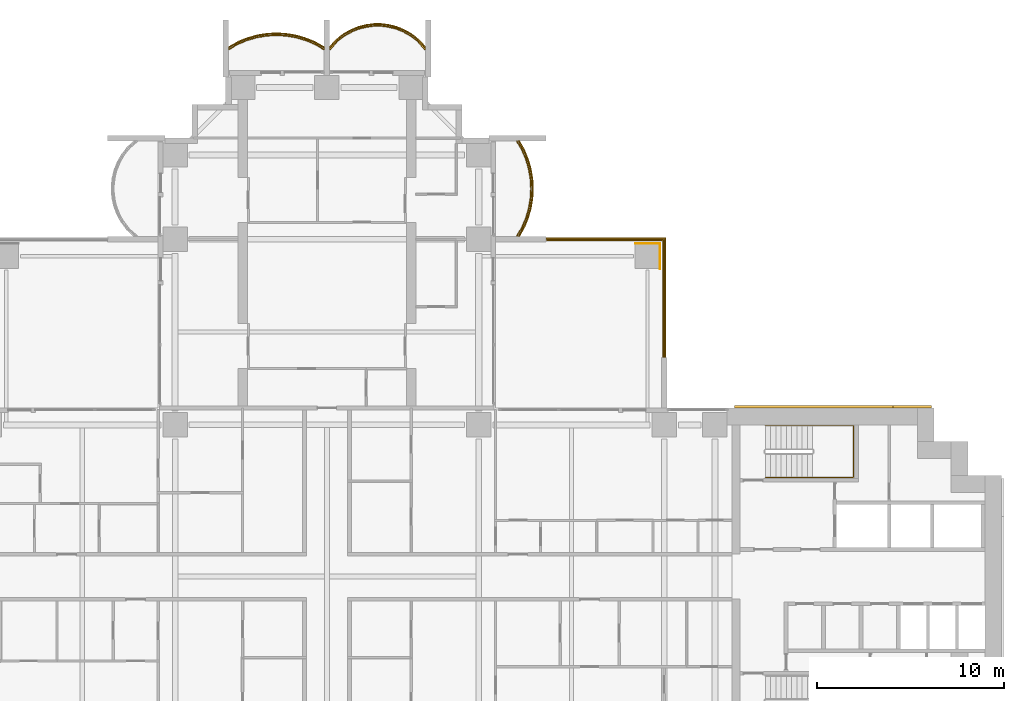
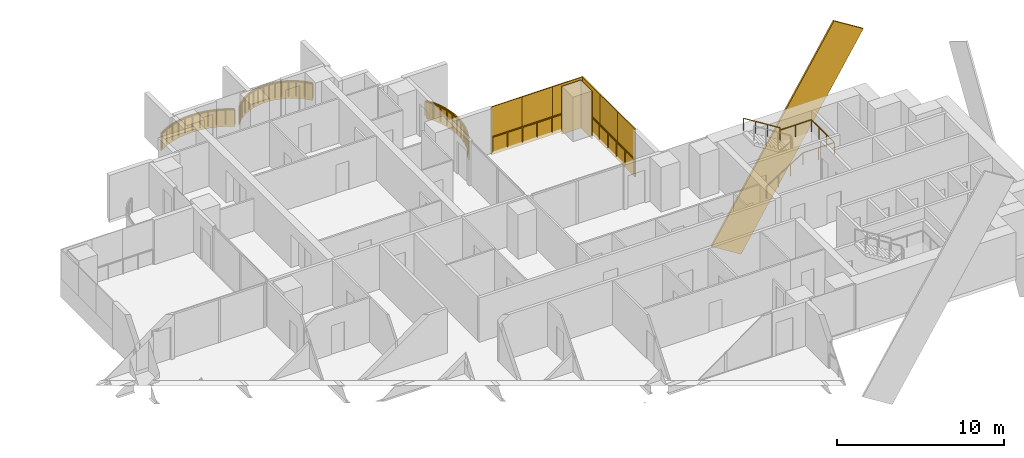
# One storey, part 22 of 23: 13 coverings, 5 railings.
"""IFC4 building model written with IfcOpenShell, lengths in metres."""

from ifc_helpers import new_model, si_unit, direction, frame, origin, origin_2d, place, context, subcontext, project, spatial, polyline, rectangle, outline, extrude, material, layer, layer_set, material_profile, profile_set, type_object, element, save


model = new_model("IFC4")

# Units and contexts
model_context = context("Model", 3, precision=1e-05, world=origin(), true_north=direction((0.0, 1.0)))
body_context = subcontext(model_context, "Body", "Model", "MODEL_VIEW")
ifc_project = project(units=[si_unit("LENGTHUNIT", "METRE"), si_unit("AREAUNIT", "SQUARE_METRE"), si_unit("VOLUMEUNIT", "CUBIC_METRE"), si_unit("PLANEANGLEUNIT", "RADIAN"), si_unit("MASSUNIT", "GRAM", prefix="KILO")], contexts=[model_context])

# Site, building, storey
site_placement = place(None, origin())
site = spatial("IfcSite", under=ifc_project, at=site_placement, CompositionType="ELEMENT")
building_placement = place(site_placement, origin())
building = spatial("IfcBuilding", under=site, at=building_placement, Name="Perihelion Cross Residences", CompositionType="ELEMENT")
storey_placement = place(building_placement, frame((0.0, 0.0, 36.5)))
storey = spatial("IfcBuildingStorey", under=building, at=storey_placement, Name="L05", CompositionType="ELEMENT", Elevation=36.5)

# Coverings
ifc_material_1 = material(Name="Bronze anodised aluminium", Category="aluminium")
ifc_layer_1 = layer(ifc_material_1, 0.070068359375)
ifc_layer_set_1 = layer_set([ifc_layer_1], Name="Balcony fascia 1300")
covering_type_1 = type_object("IfcCoveringType", Name="Balcony fascia 1300", PredefinedType="CLADDING", material=ifc_layer_set_1)
covering_1_placement = place(storey_placement, frame((0.0, 0.0, -0.199951171875)))
element("IfcCovering", 1, at=covering_1_placement, inside=storey, type_object=covering_type_1, Name="Fascia BF1 L05 north side east bay 2", PredefinedType="CLADDING", context=body_context, shape_type="SweptSolid", body=[
    extrude(outline(polyline([(10.54833984375, 18.629638671875), (10.7607421875, 19.147216796875), (10.906494140625, 19.664794921875), (10.991943359375, 20.182373046875), (11.02001953125, 20.699951171875), (10.991943359375, 21.217529296875), (10.906494140625, 21.735107421875), (10.7607421875, 22.2529296875), (10.54833984375, 22.7705078125), (10.2802734375, 23.25), (10.199951171875, 23.25), (10.4853515625, 22.739990234375), (10.694580078125, 22.22998046875), (10.838134765625, 21.719970703125), (10.92236328125, 21.2099609375), (10.949951171875, 20.699951171875), (10.92236328125, 20.18994140625), (10.838134765625, 19.679931640625), (10.694580078125, 19.169921875), (10.4853515625, 18.659912109375), (10.199951171875, 18.14990234375), (10.2802734375, 18.14990234375), (10.54833984375, 18.629638671875)])), origin(), (0.0, 0.0, 1.0), 1.300048828125),
])
covering_2_placement = place(storey_placement, frame((0.0, 0.0, -0.199951171875)))
element("IfcCovering", 2, at=covering_2_placement, inside=storey, type_object=covering_type_1, Name="Fascia BF1 L05 north tip north bay 1", PredefinedType="CLADDING", context=body_context, shape_type="SweptSolid", body=[
    extrude(outline(polyline([(4.90478515625, 28.674072265625), (4.50390625, 28.982666015625), (4.10302734375, 29.20654296875), (3.7021484375, 29.364013671875), (3.30126953125, 29.464599609375), (2.900390625, 29.513916015625), (2.49951171875, 29.513916015625), (2.0986328125, 29.464599609375), (1.69775390625, 29.364013671875), (1.296875, 29.20654296875), (0.89599609375, 28.982666015625), (0.4951171875, 28.674072265625), (0.14990234375, 28.302734375), (0.14990234375, 28.199951171875), (0.542236328125, 28.622314453125), (0.9345703125, 28.924072265625), (1.326904296875, 29.143310546875), (1.71923828125, 29.29736328125), (2.111572265625, 29.39599609375), (2.50390625, 29.444091796875), (2.896240234375, 29.444091796875), (3.28857421875, 29.39599609375), (3.6806640625, 29.29736328125), (4.072998046875, 29.143310546875), (4.46533203125, 28.924072265625), (4.857666015625, 28.622314453125), (5.25, 28.199951171875), (5.25, 28.302734375), (4.90478515625, 28.674072265625)])), origin(), (0.0, 0.0, 1.0), 1.300048828125),
])
covering_3_placement = place(storey_placement, frame((0.0, 0.0, -0.199951171875)))
element("IfcCovering", 3, at=covering_3_placement, inside=storey, type_object=covering_type_1, Name="Fascia BF1 L05 north tip north bay 2", PredefinedType="CLADDING", context=body_context, shape_type="SweptSolid", body=[
    extrude(outline(polyline([(-0.629638671875, 28.54833984375), (-1.147216796875, 28.7607421875), (-1.664794921875, 28.906494140625), (-2.182373046875, 28.991943359375), (-2.699951171875, 29.02001953125), (-3.217529296875, 28.991943359375), (-3.735107421875, 28.906494140625), (-4.2529296875, 28.7607421875), (-4.7705078125, 28.54833984375), (-5.25, 28.2802734375), (-5.25, 28.199951171875), (-4.739990234375, 28.4853515625), (-4.22998046875, 28.694580078125), (-3.719970703125, 28.838134765625), (-3.2099609375, 28.92236328125), (-2.699951171875, 28.949951171875), (-2.18994140625, 28.92236328125), (-1.679931640625, 28.838134765625), (-1.169921875, 28.694580078125), (-0.659912109375, 28.4853515625), (-0.14990234375, 28.199951171875), (-0.14990234375, 28.2802734375), (-0.629638671875, 28.54833984375)])), origin(), (0.0, 0.0, 1.0), 1.300048828125),
])

# Railings
ifc_material_2 = material(Name="Bronze anodised aluminium", Category="aluminium")
railing_type_1 = type_object("IfcRailingType", Name="Balcony guard 1100", PredefinedType="GUARDRAIL", material=ifc_material_2)
railing_1_placement = place(storey_placement, frame((10.139892578125, 18.175048828125, 0.0)))
element("IfcRailing", 4, at=railing_1_placement, inside=storey, type_object=railing_type_1, Name="Guard GU1 L05 north side east bay 2 balcony", PredefinedType="GUARDRAIL", context=body_context, shape_type="SweptSolid", body=[
    extrude(rectangle(XDim=0.048095703125, YDim=0.048095703125, at=origin_2d()), frame((0.0, 0.0, 1.076171875), z_axis=(0.507266632806, 0.861789164031, 0.0), x_axis=(-0.861789164031, 0.507266632806, 0.0)), (0.0, 0.0, 1.0), 0.562744140625),
    extrude(rectangle(XDim=0.048095703125, YDim=0.048095703125, at=origin_2d()), frame((0.285400390625, 0.48486328125, 1.076171875), z_axis=(0.379546636342, 0.925172605972, 0.0), x_axis=(-0.925172605972, 0.379546636342, 0.0)), (0.0, 0.0, 1.0), 0.55126953125),
    extrude(rectangle(XDim=0.048095703125, YDim=0.048095703125, at=origin_2d()), frame((0.49462890625, 0.994873046875, 1.076171875), z_axis=(0.271372618732, 0.962474364231, 0.0), x_axis=(-0.962474364231, 0.271372618732, 0.0)), (0.0, 0.0, 1.0), 0.52978515625),
    extrude(rectangle(XDim=0.048095703125, YDim=0.048095703125, at=origin_2d()), frame((0.638427734375, 1.5048828125, 1.076171875), z_axis=(0.162483799314, 0.986711211531, 0.0), x_axis=(-0.986711211531, 0.162483799314, 0.0)), (0.0, 0.0, 1.0), 0.516845703125),
    extrude(rectangle(XDim=0.048095703125, YDim=0.048095703125, at=origin_2d()), frame((0.722412109375, 2.014892578125, 1.076171875), z_axis=(0.05401390175, 0.998540183677, 0.0), x_axis=(-0.998540183677, 0.05401390175, 0.0)), (0.0, 0.0, 1.0), 0.5107421875),
    extrude(rectangle(XDim=0.048095703125, YDim=0.048095703125, at=origin_2d()), frame((0.75, 2.52490234375, 1.076171875), z_axis=(-0.05401390175, 0.998540183677, 0.0), x_axis=(-0.998540183677, -0.05401390175, 0.0)), (0.0, 0.0, 1.0), 0.5107421875),
    extrude(rectangle(XDim=0.048095703125, YDim=0.048095703125, at=origin_2d()), frame((0.722412109375, 3.034912109375, 1.076171875), z_axis=(-0.162483799314, 0.986711211531, 0.0), x_axis=(-0.986711211531, -0.162483799314, 0.0)), (0.0, 0.0, 1.0), 0.516845703125),
    extrude(rectangle(XDim=0.048095703125, YDim=0.048095703125, at=origin_2d()), frame((0.638427734375, 3.544921875, 1.076171875), z_axis=(-0.271372618732, 0.962474364231, 0.0), x_axis=(-0.962474364231, -0.271372618732, 0.0)), (0.0, 0.0, 1.0), 0.52978515625),
    extrude(rectangle(XDim=0.048095703125, YDim=0.048095703125, at=origin_2d()), frame((0.49462890625, 4.054931640625, 1.076171875), z_axis=(-0.379546636342, 0.925172605972, 0.0), x_axis=(-0.925172605972, -0.379546636342, 0.0)), (0.0, 0.0, 1.0), 0.55126953125),
    extrude(rectangle(XDim=0.048095703125, YDim=0.048095703125, at=origin_2d()), frame((0.285400390625, 4.56494140625, 1.076171875), z_axis=(-0.507076995033, 0.861900760591, 0.0), x_axis=(-0.861900760591, -0.507076995033, 0.0)), (0.0, 0.0, 1.0), 0.562744140625),
    extrude(rectangle(XDim=0.0419921875, YDim=0.0419921875, at=origin_2d()), origin(), (0.0, 0.0, 1.0), 1.052001953125),
    extrude(rectangle(XDim=0.0419921875, YDim=0.0419921875, at=origin_2d()), frame((0.285400390625, 0.48486328125, 0.0)), (0.0, 0.0, 1.0), 1.052001953125),
    extrude(rectangle(XDim=0.0419921875, YDim=0.0419921875, at=origin_2d()), frame((0.49462890625, 0.994873046875, 0.0)), (0.0, 0.0, 1.0), 1.052001953125),
    extrude(rectangle(XDim=0.0419921875, YDim=0.0419921875, at=origin_2d()), frame((0.638427734375, 1.5048828125, 0.0)), (0.0, 0.0, 1.0), 1.052001953125),
    extrude(rectangle(XDim=0.0419921875, YDim=0.0419921875, at=origin_2d()), frame((0.722412109375, 2.014892578125, 0.0)), (0.0, 0.0, 1.0), 1.052001953125),
    extrude(rectangle(XDim=0.0419921875, YDim=0.0419921875, at=origin_2d()), frame((0.75, 2.52490234375, 0.0)), (0.0, 0.0, 1.0), 1.052001953125),
    extrude(rectangle(XDim=0.0419921875, YDim=0.0419921875, at=origin_2d()), frame((0.722412109375, 3.034912109375, 0.0)), (0.0, 0.0, 1.0), 1.052001953125),
    extrude(rectangle(XDim=0.0419921875, YDim=0.0419921875, at=origin_2d()), frame((0.638427734375, 3.544921875, 0.0)), (0.0, 0.0, 1.0), 1.052001953125),
    extrude(rectangle(XDim=0.0419921875, YDim=0.0419921875, at=origin_2d()), frame((0.49462890625, 4.054931640625, 0.0)), (0.0, 0.0, 1.0), 1.052001953125),
    extrude(rectangle(XDim=0.0419921875, YDim=0.0419921875, at=origin_2d()), frame((0.285400390625, 4.56494140625, 0.0)), (0.0, 0.0, 1.0), 1.052001953125),
    extrude(rectangle(XDim=0.0419921875, YDim=0.0419921875, at=origin_2d()), frame((0.0, 5.050048828125, 0.0)), (0.0, 0.0, 1.0), 1.052001953125),
])
railing_2_placement = place(storey_placement, frame((5.22509765625, 28.139892578125, 0.0)))
element("IfcRailing", 5, at=railing_2_placement, inside=storey, type_object=railing_type_1, Name="Guard GU1 L05 north tip north bay 1 balcony", PredefinedType="GUARDRAIL", context=body_context, shape_type="SweptSolid", body=[
    extrude(rectangle(XDim=0.048095703125, YDim=0.048095703125, at=origin_2d()), frame((0.0, 0.0, 1.076171875), z_axis=(-0.656340655493, 0.754464673757, 0.0), x_axis=(-0.754464673757, -0.656340655493, 0.0)), (0.0, 0.0, 1.0), 0.559814453125),
    extrude(rectangle(XDim=0.048095703125, YDim=0.048095703125, at=origin_2d()), frame((-0.367431640625, 0.42236328125, 1.076171875), z_axis=(-0.792660660899, 0.60966308455, 0.0), x_axis=(-0.60966308455, -0.792660660899, 0.0)), (0.0, 0.0, 1.0), 0.494873046875),
    extrude(rectangle(XDim=0.048095703125, YDim=0.048095703125, at=origin_2d()), frame((-0.759765625, 0.72412109375, 1.076171875), z_axis=(-0.872950285698, 0.487809182674, 0.0), x_axis=(-0.487809182674, -0.872950285698, 0.0)), (0.0, 0.0, 1.0), 0.449462890625),
    extrude(rectangle(XDim=0.048095703125, YDim=0.048095703125, at=origin_2d()), frame((-1.152099609375, 0.943359375, 1.076171875), z_axis=(-0.930814842219, 0.365491079925, 0.0), x_axis=(-0.365491079925, -0.930814842219, 0.0)), (0.0, 0.0, 1.0), 0.42138671875),
    extrude(rectangle(XDim=0.048095703125, YDim=0.048095703125, at=origin_2d()), frame((-1.54443359375, 1.097412109375, 1.076171875), z_axis=(-0.969786252666, 0.243956193074, 0.0), x_axis=(-0.243956193074, -0.969786252666, 0.0)), (0.0, 0.0, 1.0), 0.404296875),
    extrude(rectangle(XDim=0.048095703125, YDim=0.048095703125, at=origin_2d()), frame((-1.9365234375, 1.196044921875, 1.076171875), z_axis=(-0.992569651699, 0.121677797999, 0.0), x_axis=(-0.121677797999, -0.992569651699, 0.0)), (0.0, 0.0, 1.0), 0.395263671875),
    extrude(rectangle(XDim=0.048095703125, YDim=0.048095703125, at=origin_2d()), frame((-2.328857421875, 1.244140625, 1.076171875), z_axis=(-1.0, 0.0, 0.0), x_axis=(0.0, -1.0, 0.0)), (0.0, 0.0, 1.0), 0.392333984375),
    extrude(rectangle(XDim=0.048095703125, YDim=0.048095703125, at=origin_2d()), frame((-2.72119140625, 1.244140625, 1.076171875), z_axis=(-0.992569651699, -0.121677797999, 0.0), x_axis=(0.121677797999, -0.992569651699, 0.0)), (0.0, 0.0, 1.0), 0.395263671875),
    extrude(rectangle(XDim=0.048095703125, YDim=0.048095703125, at=origin_2d()), frame((-3.113525390625, 1.196044921875, 1.076171875), z_axis=(-0.969822159145, -0.243813411509, 0.0), x_axis=(0.243813411509, -0.969822159145, 0.0)), (0.0, 0.0, 1.0), 0.404541015625),
    extrude(rectangle(XDim=0.048095703125, YDim=0.048095703125, at=origin_2d()), frame((-3.505859375, 1.097412109375, 1.076171875), z_axis=(-0.930814842219, -0.365491079925, 0.0), x_axis=(0.365491079925, -0.930814842219, 0.0)), (0.0, 0.0, 1.0), 0.42138671875),
    extrude(rectangle(XDim=0.048095703125, YDim=0.048095703125, at=origin_2d()), frame((-3.898193359375, 0.943359375, 1.076171875), z_axis=(-0.872950285698, -0.487809182674, 0.0), x_axis=(0.487809182674, -0.872950285698, 0.0)), (0.0, 0.0, 1.0), 0.449462890625),
    extrude(rectangle(XDim=0.048095703125, YDim=0.048095703125, at=origin_2d()), frame((-4.29052734375, 0.72412109375, 1.076171875), z_axis=(-0.792660660899, -0.60966308455, 0.0), x_axis=(0.60966308455, -0.792660660899, 0.0)), (0.0, 0.0, 1.0), 0.494873046875),
    extrude(rectangle(XDim=0.048095703125, YDim=0.048095703125, at=origin_2d()), frame((-4.682861328125, 0.42236328125, 1.076171875), z_axis=(-0.656092309534, -0.754680648599, 0.0), x_axis=(0.754680648599, -0.656092309534, 0.0)), (0.0, 0.0, 1.0), 0.5595703125),
    extrude(rectangle(XDim=0.0419921875, YDim=0.0419921875, at=origin_2d()), origin(), (0.0, 0.0, 1.0), 1.052001953125),
    extrude(rectangle(XDim=0.0419921875, YDim=0.0419921875, at=origin_2d()), frame((-0.367431640625, 0.42236328125, 0.0)), (0.0, 0.0, 1.0), 1.052001953125),
    extrude(rectangle(XDim=0.0419921875, YDim=0.0419921875, at=origin_2d()), frame((-0.759765625, 0.72412109375, 0.0)), (0.0, 0.0, 1.0), 1.052001953125),
    extrude(rectangle(XDim=0.0419921875, YDim=0.0419921875, at=origin_2d()), frame((-1.152099609375, 0.943359375, 0.0)), (0.0, 0.0, 1.0), 1.052001953125),
    extrude(rectangle(XDim=0.0419921875, YDim=0.0419921875, at=origin_2d()), frame((-1.54443359375, 1.097412109375, 0.0)), (0.0, 0.0, 1.0), 1.052001953125),
    extrude(rectangle(XDim=0.0419921875, YDim=0.0419921875, at=origin_2d()), frame((-1.9365234375, 1.196044921875, 0.0)), (0.0, 0.0, 1.0), 1.052001953125),
    extrude(rectangle(XDim=0.0419921875, YDim=0.0419921875, at=origin_2d()), frame((-2.328857421875, 1.244140625, 0.0)), (0.0, 0.0, 1.0), 1.052001953125),
    extrude(rectangle(XDim=0.0419921875, YDim=0.0419921875, at=origin_2d()), frame((-2.72119140625, 1.244140625, 0.0)), (0.0, 0.0, 1.0), 1.052001953125),
    extrude(rectangle(XDim=0.0419921875, YDim=0.0419921875, at=origin_2d()), frame((-3.113525390625, 1.196044921875, 0.0)), (0.0, 0.0, 1.0), 1.052001953125),
    extrude(rectangle(XDim=0.0419921875, YDim=0.0419921875, at=origin_2d()), frame((-3.505859375, 1.097412109375, 0.0)), (0.0, 0.0, 1.0), 1.052001953125),
    extrude(rectangle(XDim=0.0419921875, YDim=0.0419921875, at=origin_2d()), frame((-3.898193359375, 0.943359375, 0.0)), (0.0, 0.0, 1.0), 1.052001953125),
    extrude(rectangle(XDim=0.0419921875, YDim=0.0419921875, at=origin_2d()), frame((-4.29052734375, 0.72412109375, 0.0)), (0.0, 0.0, 1.0), 1.052001953125),
    extrude(rectangle(XDim=0.0419921875, YDim=0.0419921875, at=origin_2d()), frame((-4.682861328125, 0.42236328125, 0.0)), (0.0, 0.0, 1.0), 1.052001953125),
    extrude(rectangle(XDim=0.0419921875, YDim=0.0419921875, at=origin_2d()), frame((-5.050048828125, 0.0, 0.0)), (0.0, 0.0, 1.0), 1.052001953125),
])
railing_3_placement = place(storey_placement, frame((-0.175048828125, 28.139892578125, 0.0)))
element("IfcRailing", 6, at=railing_3_placement, inside=storey, type_object=railing_type_1, Name="Guard GU1 L05 north tip north bay 2 balcony", PredefinedType="GUARDRAIL", context=body_context, shape_type="SweptSolid", body=[
    extrude(rectangle(XDim=0.048095703125, YDim=0.048095703125, at=origin_2d()), frame((0.0, 0.0, 1.076171875), z_axis=(-0.861789164031, 0.507266632806, 0.0), x_axis=(-0.507266632806, -0.861789164031, 0.0)), (0.0, 0.0, 1.0), 0.562744140625),
    extrude(rectangle(XDim=0.048095703125, YDim=0.048095703125, at=origin_2d()), frame((-0.48486328125, 0.285400390625, 1.076171875), z_axis=(-0.925172605972, 0.379546636342, 0.0), x_axis=(-0.379546636342, -0.925172605972, 0.0)), (0.0, 0.0, 1.0), 0.55126953125),
    extrude(rectangle(XDim=0.048095703125, YDim=0.048095703125, at=origin_2d()), frame((-0.994873046875, 0.49462890625, 1.076171875), z_axis=(-0.962474364231, 0.271372618732, 0.0), x_axis=(-0.271372618732, -0.962474364231, 0.0)), (0.0, 0.0, 1.0), 0.52978515625),
    extrude(rectangle(XDim=0.048095703125, YDim=0.048095703125, at=origin_2d()), frame((-1.5048828125, 0.638427734375, 1.076171875), z_axis=(-0.986711211531, 0.162483799314, 0.0), x_axis=(-0.162483799314, -0.986711211531, 0.0)), (0.0, 0.0, 1.0), 0.516845703125),
    extrude(rectangle(XDim=0.048095703125, YDim=0.048095703125, at=origin_2d()), frame((-2.014892578125, 0.722412109375, 1.076171875), z_axis=(-0.998540183677, 0.05401390175, 0.0), x_axis=(-0.05401390175, -0.998540183677, 0.0)), (0.0, 0.0, 1.0), 0.5107421875),
    extrude(rectangle(XDim=0.048095703125, YDim=0.048095703125, at=origin_2d()), frame((-2.52490234375, 0.75, 1.076171875), z_axis=(-0.998540183677, -0.05401390175, 0.0), x_axis=(0.05401390175, -0.998540183677, 0.0)), (0.0, 0.0, 1.0), 0.5107421875),
    extrude(rectangle(XDim=0.048095703125, YDim=0.048095703125, at=origin_2d()), frame((-3.034912109375, 0.722412109375, 1.076171875), z_axis=(-0.986711211531, -0.162483799314, 0.0), x_axis=(0.162483799314, -0.986711211531, 0.0)), (0.0, 0.0, 1.0), 0.516845703125),
    extrude(rectangle(XDim=0.048095703125, YDim=0.048095703125, at=origin_2d()), frame((-3.544921875, 0.638427734375, 1.076171875), z_axis=(-0.962474364231, -0.271372618732, 0.0), x_axis=(0.271372618732, -0.962474364231, 0.0)), (0.0, 0.0, 1.0), 0.52978515625),
    extrude(rectangle(XDim=0.048095703125, YDim=0.048095703125, at=origin_2d()), frame((-4.054931640625, 0.49462890625, 1.076171875), z_axis=(-0.925172605972, -0.379546636342, 0.0), x_axis=(0.379546636342, -0.925172605972, 0.0)), (0.0, 0.0, 1.0), 0.55126953125),
    extrude(rectangle(XDim=0.048095703125, YDim=0.048095703125, at=origin_2d()), frame((-4.56494140625, 0.285400390625, 1.076171875), z_axis=(-0.861900760591, -0.507076995033, 0.0), x_axis=(0.507076995033, -0.861900760591, 0.0)), (0.0, 0.0, 1.0), 0.562744140625),
    extrude(rectangle(XDim=0.0419921875, YDim=0.0419921875, at=origin_2d()), origin(), (0.0, 0.0, 1.0), 1.052001953125),
    extrude(rectangle(XDim=0.0419921875, YDim=0.0419921875, at=origin_2d()), frame((-0.48486328125, 0.285400390625, 0.0)), (0.0, 0.0, 1.0), 1.052001953125),
    extrude(rectangle(XDim=0.0419921875, YDim=0.0419921875, at=origin_2d()), frame((-0.994873046875, 0.49462890625, 0.0)), (0.0, 0.0, 1.0), 1.052001953125),
    extrude(rectangle(XDim=0.0419921875, YDim=0.0419921875, at=origin_2d()), frame((-1.5048828125, 0.638427734375, 0.0)), (0.0, 0.0, 1.0), 1.052001953125),
    extrude(rectangle(XDim=0.0419921875, YDim=0.0419921875, at=origin_2d()), frame((-2.014892578125, 0.722412109375, 0.0)), (0.0, 0.0, 1.0), 1.052001953125),
    extrude(rectangle(XDim=0.0419921875, YDim=0.0419921875, at=origin_2d()), frame((-2.52490234375, 0.75, 0.0)), (0.0, 0.0, 1.0), 1.052001953125),
    extrude(rectangle(XDim=0.0419921875, YDim=0.0419921875, at=origin_2d()), frame((-3.034912109375, 0.722412109375, 0.0)), (0.0, 0.0, 1.0), 1.052001953125),
    extrude(rectangle(XDim=0.0419921875, YDim=0.0419921875, at=origin_2d()), frame((-3.544921875, 0.638427734375, 0.0)), (0.0, 0.0, 1.0), 1.052001953125),
    extrude(rectangle(XDim=0.0419921875, YDim=0.0419921875, at=origin_2d()), frame((-4.054931640625, 0.49462890625, 0.0)), (0.0, 0.0, 1.0), 1.052001953125),
    extrude(rectangle(XDim=0.0419921875, YDim=0.0419921875, at=origin_2d()), frame((-4.56494140625, 0.285400390625, 0.0)), (0.0, 0.0, 1.0), 1.052001953125),
    extrude(rectangle(XDim=0.0419921875, YDim=0.0419921875, at=origin_2d()), frame((-5.050048828125, 0.0, 0.0)), (0.0, 0.0, 1.0), 1.052001953125),
])
railing_4_placement = place(storey_placement, frame((11.739990234375, 17.93994140625, 0.0)))
element("IfcRailing", 7, at=railing_4_placement, inside=storey, type_object=railing_type_1, Name="Guard GU1 L05 pocket north-east 1", PredefinedType="GUARDRAIL", context=body_context, shape_type="SweptSolid", body=[
    extrude(rectangle(XDim=0.048095703125, YDim=0.048095703125, at=origin_2d()), frame((0.0, 0.0, 1.076171875), z_axis=(1.0, 0.0, 0.0), x_axis=(0.0, 1.0, 0.0)), (0.0, 0.0, 1.0), 6.199951171875),
    extrude(rectangle(XDim=0.048095703125, YDim=0.048095703125, at=origin_2d()), frame((6.199951171875, 0.0, 1.076171875), z_axis=(0.0, -1.0, 0.0), x_axis=(1.0, 0.0, 0.0)), (0.0, 0.0, 1.0), 6.199951171875),
    extrude(rectangle(XDim=0.0419921875, YDim=0.0419921875, at=origin_2d()), origin(), (0.0, 0.0, 1.0), 1.052001953125),
    extrude(rectangle(XDim=0.0419921875, YDim=0.0419921875, at=origin_2d()), frame((1.033203125, 0.0, 0.0)), (0.0, 0.0, 1.0), 1.052001953125),
    extrude(rectangle(XDim=0.0419921875, YDim=0.0419921875, at=origin_2d()), frame((2.066650390625, 0.0, 0.0)), (0.0, 0.0, 1.0), 1.052001953125),
    extrude(rectangle(XDim=0.0419921875, YDim=0.0419921875, at=origin_2d()), frame((3.10009765625, 0.0, 0.0)), (0.0, 0.0, 1.0), 1.052001953125),
    extrude(rectangle(XDim=0.0419921875, YDim=0.0419921875, at=origin_2d()), frame((4.13330078125, 0.0, 0.0)), (0.0, 0.0, 1.0), 1.052001953125),
    extrude(rectangle(XDim=0.0419921875, YDim=0.0419921875, at=origin_2d()), frame((5.16650390625, 0.0, 0.0)), (0.0, 0.0, 1.0), 1.052001953125),
    extrude(rectangle(XDim=0.0419921875, YDim=0.0419921875, at=origin_2d()), frame((6.199951171875, 0.0, 0.0)), (0.0, 0.0, 1.0), 1.052001953125),
    extrude(rectangle(XDim=0.0419921875, YDim=0.0419921875, at=origin_2d()), frame((6.199951171875, -1.033203125, 0.0)), (0.0, 0.0, 1.0), 1.052001953125),
    extrude(rectangle(XDim=0.0419921875, YDim=0.0419921875, at=origin_2d()), frame((6.199951171875, -2.066650390625, 0.0)), (0.0, 0.0, 1.0), 1.052001953125),
    extrude(rectangle(XDim=0.0419921875, YDim=0.0419921875, at=origin_2d()), frame((6.199951171875, -3.10009765625, 0.0)), (0.0, 0.0, 1.0), 1.052001953125),
    extrude(rectangle(XDim=0.0419921875, YDim=0.0419921875, at=origin_2d()), frame((6.199951171875, -4.13330078125, 0.0)), (0.0, 0.0, 1.0), 1.052001953125),
    extrude(rectangle(XDim=0.0419921875, YDim=0.0419921875, at=origin_2d()), frame((6.199951171875, -5.16650390625, 0.0)), (0.0, 0.0, 1.0), 1.052001953125),
    extrude(rectangle(XDim=0.0419921875, YDim=0.0419921875, at=origin_2d()), frame((6.199951171875, -6.199951171875, 0.0)), (0.0, 0.0, 1.0), 1.052001953125),
])

# Coverings
ifc_material_3 = material(Name="Bronze anodised aluminium", Category="aluminium")
ifc_material_profile = material_profile(ifc_material_3, rectangle(XDim=0.125, YDim=2.39990234375, at=origin_2d()), Name="Bronze cladding band 2400")
ifc_profile_set = profile_set([ifc_material_profile], Name="Bronze anodised aluminium")
covering_type_2 = type_object("IfcCoveringType", Name="Bronze cladding band 2400", PredefinedType="CLADDING", material=ifc_profile_set)
covering_4_placement = place(storey_placement, frame((22.767578125, 9.0625, -5.656005859375), z_axis=(0.529931619435, 0.0, 0.848040375644), x_axis=(0.0, 1.0, 0.0)))
element("IfcCovering", 8, at=covering_4_placement, inside=storey, type_object=covering_type_2, Name="Core cladding band, east core", PredefinedType="CLADDING", context=body_context, shape_type="SweptSolid", body=[
    extrude(rectangle(XDim=0.125, YDim=2.39990234375, at=origin_2d()), origin(), (0.0, 0.0, 1.0), 15.973388671875),
])
ifc_material_4 = material(Name="Bronze anodised aluminium", Category="aluminium")
ifc_layer_2 = layer(ifc_material_4, 0.0400390625)
ifc_layer_set_2 = layer_set([ifc_layer_2], Name="Bronze column casing 40")
covering_type_3 = type_object("IfcCoveringType", Name="Bronze column casing 40", PredefinedType="CLADDING", material=ifc_layer_set_2)
covering_5_placement = place(storey_placement, frame((17.77001953125, 17.10009765625, -0.25), z_axis=(0.0, 0.0, 1.0), x_axis=(1.0, 0.0, 0.0)))
element("IfcCovering", 9, at=covering_5_placement, inside=storey, type_object=covering_type_3, Name="Cladding CC1 L05 casing east-west no. 4", PredefinedType="CLADDING", context=body_context, shape_type="SweptSolid", body=[
    extrude(rectangle(XDim=0.0400390625, YDim=1.3798828125, at=origin_2d()), origin(), (0.0, 0.0, 1.0), 3.5),
])
covering_6_placement = place(storey_placement, frame((17.10009765625, 17.77001953125, -0.25), z_axis=(0.0, 0.0, 1.0), x_axis=(1.0, 0.0, 0.0)))
element("IfcCovering", 10, at=covering_6_placement, inside=storey, type_object=covering_type_3, Name="Cladding CC1 L05 casing north-south no. 4", PredefinedType="CLADDING", context=body_context, shape_type="SweptSolid", body=[
    extrude(rectangle(XDim=1.300048828125, YDim=0.0400390625, at=origin_2d()), origin(), (0.0, 0.0, 1.0), 3.5),
])
ifc_material_5 = material(Name="Bronze anodised aluminium", Category="aluminium")
ifc_layer_3 = layer(ifc_material_5, 0.070068359375)
ifc_layer_set_3 = layer_set([ifc_layer_3], Name="Pocket fascia 1350")
covering_type_4 = type_object("IfcCoveringType", Name="Pocket fascia 1350", PredefinedType="CLADDING", material=ifc_layer_set_3)
covering_7_placement = place(storey_placement, frame((0.0, 0.0, -0.25)))
element("IfcCovering", 11, at=covering_7_placement, inside=storey, type_object=covering_type_4, Name="Fascia BF2 L05 pocket north-east 3", PredefinedType="CLADDING", context=body_context, shape_type="SweptSolid", body=[
    extrude(outline(polyline([(18.070068359375, 18.070068359375), (11.699951171875, 18.070068359375), (11.699951171875, 18.0), (18.0, 18.0), (18.0, 11.699951171875), (18.070068359375, 11.699951171875), (18.070068359375, 18.070068359375)])), origin(), (0.0, 0.0, 1.0), 1.35009765625),
])
ifc_material_6 = material(Name="Bronze perforated aluminium", Category="aluminium")
ifc_layer_4 = layer(ifc_material_6, 0.070068359375)
ifc_layer_set_4 = layer_set([ifc_layer_4], Name="Pocket solar screen, bronze perforated")
covering_type_5 = type_object("IfcCoveringType", Name="Pocket solar screen, bronze perforated", PredefinedType="CLADDING", material=ifc_layer_set_4)
covering_8_placement = place(storey_placement, frame((0.0, 0.0, 1.10009765625)))
element("IfcCovering", 12, at=covering_8_placement, inside=storey, type_object=covering_type_5, Name="Solar screen PS1 L05 pocket north-east no. 1", PredefinedType="CLADDING", context=body_context, shape_type="SweptSolid", body=[
    extrude(outline(polyline([(18.070068359375, 11.699951171875), (18.070068359375, 13.800048828125), (18.0, 13.800048828125), (18.0, 11.699951171875), (18.070068359375, 11.699951171875)])), origin(), (0.0, 0.0, 1.0), 2.14990234375),
])
covering_9_placement = place(storey_placement, frame((0.0, 0.0, 1.10009765625)))
element("IfcCovering", 13, at=covering_9_placement, inside=storey, type_object=covering_type_5, Name="Solar screen PS1 L05 pocket north-east no. 2", PredefinedType="CLADDING", context=body_context, shape_type="SweptSolid", body=[
    extrude(outline(polyline([(18.070068359375, 13.800048828125), (18.070068359375, 15.89990234375), (18.0, 15.89990234375), (18.0, 13.800048828125), (18.070068359375, 13.800048828125)])), origin(), (0.0, 0.0, 1.0), 2.14990234375),
])
covering_10_placement = place(storey_placement, frame((0.0, 0.0, 1.10009765625)))
element("IfcCovering", 14, at=covering_10_placement, inside=storey, type_object=covering_type_5, Name="Solar screen PS1 L05 pocket north-east no. 3", PredefinedType="CLADDING", context=body_context, shape_type="SweptSolid", body=[
    extrude(outline(polyline([(18.070068359375, 15.89990234375), (18.070068359375, 18.0), (18.0, 18.0), (18.0, 15.89990234375), (18.070068359375, 15.89990234375)])), origin(), (0.0, 0.0, 1.0), 2.14990234375),
])
covering_11_placement = place(storey_placement, frame((0.0, 0.0, 1.10009765625)))
element("IfcCovering", 15, at=covering_11_placement, inside=storey, type_object=covering_type_5, Name="Solar screen PS1 L05 pocket north-east no. 4", PredefinedType="CLADDING", context=body_context, shape_type="SweptSolid", body=[
    extrude(outline(polyline([(13.8232421875, 18.0), (13.8232421875, 18.070068359375), (11.699951171875, 18.070068359375), (11.699951171875, 18.0), (13.8232421875, 18.0)])), origin(), (0.0, 0.0, 1.0), 2.14990234375),
])
covering_12_placement = place(storey_placement, frame((0.0, 0.0, 1.10009765625)))
element("IfcCovering", 16, at=covering_12_placement, inside=storey, type_object=covering_type_5, Name="Solar screen PS1 L05 pocket north-east no. 5", PredefinedType="CLADDING", context=body_context, shape_type="SweptSolid", body=[
    extrude(outline(polyline([(15.94677734375, 18.0), (15.94677734375, 18.070068359375), (13.8232421875, 18.070068359375), (13.8232421875, 18.0), (15.94677734375, 18.0)])), origin(), (0.0, 0.0, 1.0), 2.14990234375),
])
covering_13_placement = place(storey_placement, frame((0.0, 0.0, 1.10009765625)))
element("IfcCovering", 17, at=covering_13_placement, inside=storey, type_object=covering_type_5, Name="Solar screen PS1 L05 pocket north-east no. 6", PredefinedType="CLADDING", context=body_context, shape_type="SweptSolid", body=[
    extrude(outline(polyline([(18.070068359375, 18.0), (18.070068359375, 18.070068359375), (15.94677734375, 18.070068359375), (15.94677734375, 18.0), (18.070068359375, 18.0)])), origin(), (0.0, 0.0, 1.0), 2.14990234375),
])

# Railing
ifc_material_7 = material(Name="Stainless steel", Category="steel")
railing_type_2 = type_object("IfcRailingType", Name="Stair handrail 900", PredefinedType="HANDRAIL", material=ifc_material_7)
railing_5_placement = place(storey_placement, frame((23.39990234375, 5.300048828125, 0.175048828125)))
element("IfcRailing", 18, at=railing_5_placement, inside=storey, type_object=railing_type_2, Name="L05 ST-E1 stair handrail 1", PredefinedType="HANDRAIL", context=body_context, shape_type="SweptSolid", body=[
    extrude(rectangle(XDim=0.048095703125, YDim=0.048095703125, at=origin_2d()), frame((0.0, 0.0, 0.8759765625), z_axis=(0.848007534815, 0.0, 0.529984170421), x_axis=(0.0, 1.0, 0.0)), (0.0, 0.0, 1.0), 2.9716796875),
    extrude(rectangle(XDim=0.048095703125, YDim=0.048095703125, at=origin_2d()), frame((2.52001953125, 0.0, 2.45068359375), z_axis=(1.0, 0.0, 0.0), x_axis=(0.0, 1.0, 0.0)), (0.0, 0.0, 1.0), 2.18017578125),
    extrude(rectangle(XDim=0.048095703125, YDim=0.048095703125, at=origin_2d()), frame((4.7001953125, 0.0, 2.45068359375), z_axis=(0.0, 1.0, 0.0), x_axis=(-1.0, 0.0, 0.0)), (0.0, 0.0, 1.0), 2.75),
    extrude(rectangle(XDim=0.048095703125, YDim=0.048095703125, at=origin_2d()), frame((4.7001953125, 2.75, 2.45068359375), z_axis=(-1.0, 0.0, 0.0), x_axis=(0.0, -1.0, 0.0)), (0.0, 0.0, 1.0), 2.18017578125),
    extrude(rectangle(XDim=0.048095703125, YDim=0.048095703125, at=origin_2d()), frame((2.52001953125, 2.75, 2.45068359375), z_axis=(0.0, 0.0, 1.0), x_axis=(1.0, 0.0, 0.0)), (0.0, 0.0, 1.0), 0.175048828125),
    extrude(rectangle(XDim=0.048095703125, YDim=0.048095703125, at=origin_2d()), frame((2.52001953125, 2.75, 2.6259765625), z_axis=(-0.848007534815, 0.0, 0.529984170421), x_axis=(0.0, -1.0, 0.0)), (0.0, 0.0, 1.0), 2.9716796875),
    extrude(rectangle(XDim=0.0419921875, YDim=0.0419921875, at=origin_2d()), origin(), (0.0, 0.0, 1.0), 0.851806640625),
    extrude(rectangle(XDim=0.0419921875, YDim=0.0419921875, at=origin_2d()), frame((0.840087890625, 0.0, 0.52490234375)), (0.0, 0.0, 1.0), 0.851806640625),
    extrude(rectangle(XDim=0.0419921875, YDim=0.0419921875, at=origin_2d()), frame((1.679931640625, 0.0, 1.050048828125)), (0.0, 0.0, 1.0), 0.851806640625),
    extrude(rectangle(XDim=0.0419921875, YDim=0.0419921875, at=origin_2d()), frame((2.52001953125, 0.0, 1.574951171875)), (0.0, 0.0, 1.0), 0.851806640625),
    extrude(rectangle(XDim=0.0419921875, YDim=0.0419921875, at=origin_2d()), frame((3.610107421875, 0.0, 1.574951171875)), (0.0, 0.0, 1.0), 0.851806640625),
    extrude(rectangle(XDim=0.0419921875, YDim=0.0419921875, at=origin_2d()), frame((4.7001953125, 0.0, 1.574951171875)), (0.0, 0.0, 1.0), 0.851806640625),
    extrude(rectangle(XDim=0.0419921875, YDim=0.0419921875, at=origin_2d()), frame((4.7001953125, 0.916748046875, 1.574951171875)), (0.0, 0.0, 1.0), 0.851806640625),
    extrude(rectangle(XDim=0.0419921875, YDim=0.0419921875, at=origin_2d()), frame((4.7001953125, 1.833251953125, 1.574951171875)), (0.0, 0.0, 1.0), 0.851806640625),
    extrude(rectangle(XDim=0.0419921875, YDim=0.0419921875, at=origin_2d()), frame((4.7001953125, 2.75, 1.574951171875)), (0.0, 0.0, 1.0), 0.851806640625),
    extrude(rectangle(XDim=0.0419921875, YDim=0.0419921875, at=origin_2d()), frame((3.610107421875, 2.75, 1.574951171875)), (0.0, 0.0, 1.0), 0.851806640625),
    extrude(rectangle(XDim=0.0419921875, YDim=0.0419921875, at=origin_2d()), frame((2.52001953125, 2.75, 1.574951171875)), (0.0, 0.0, 1.0), 0.851806640625),
    extrude(rectangle(XDim=0.0419921875, YDim=0.0419921875, at=origin_2d()), frame((2.52001953125, 2.75, 1.75)), (0.0, 0.0, 1.0), 0.851806640625),
    extrude(rectangle(XDim=0.0419921875, YDim=0.0419921875, at=origin_2d()), frame((1.679931640625, 2.75, 2.27490234375)), (0.0, 0.0, 1.0), 0.851806640625),
    extrude(rectangle(XDim=0.0419921875, YDim=0.0419921875, at=origin_2d()), frame((0.840087890625, 2.75, 2.800048828125)), (0.0, 0.0, 1.0), 0.851806640625),
    extrude(rectangle(XDim=0.0419921875, YDim=0.0419921875, at=origin_2d()), frame((0.0, 2.75, 3.324951171875)), (0.0, 0.0, 1.0), 0.851806640625),
])

save(model, "model.ifc")
